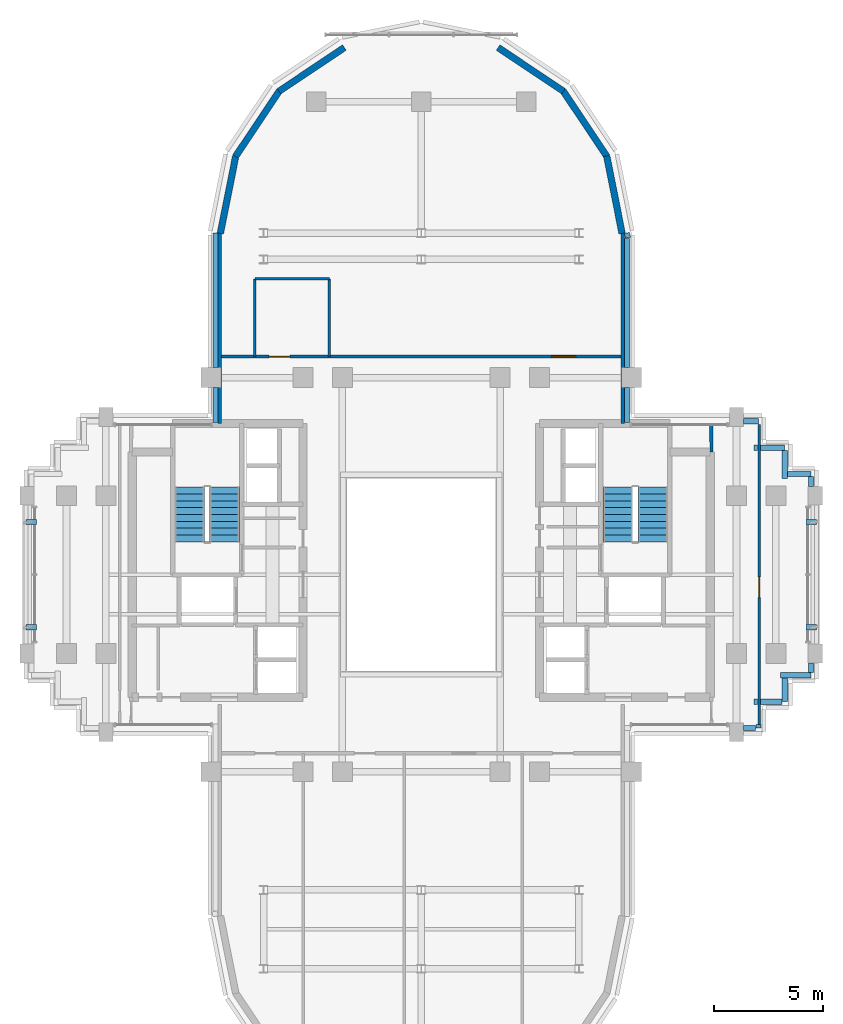
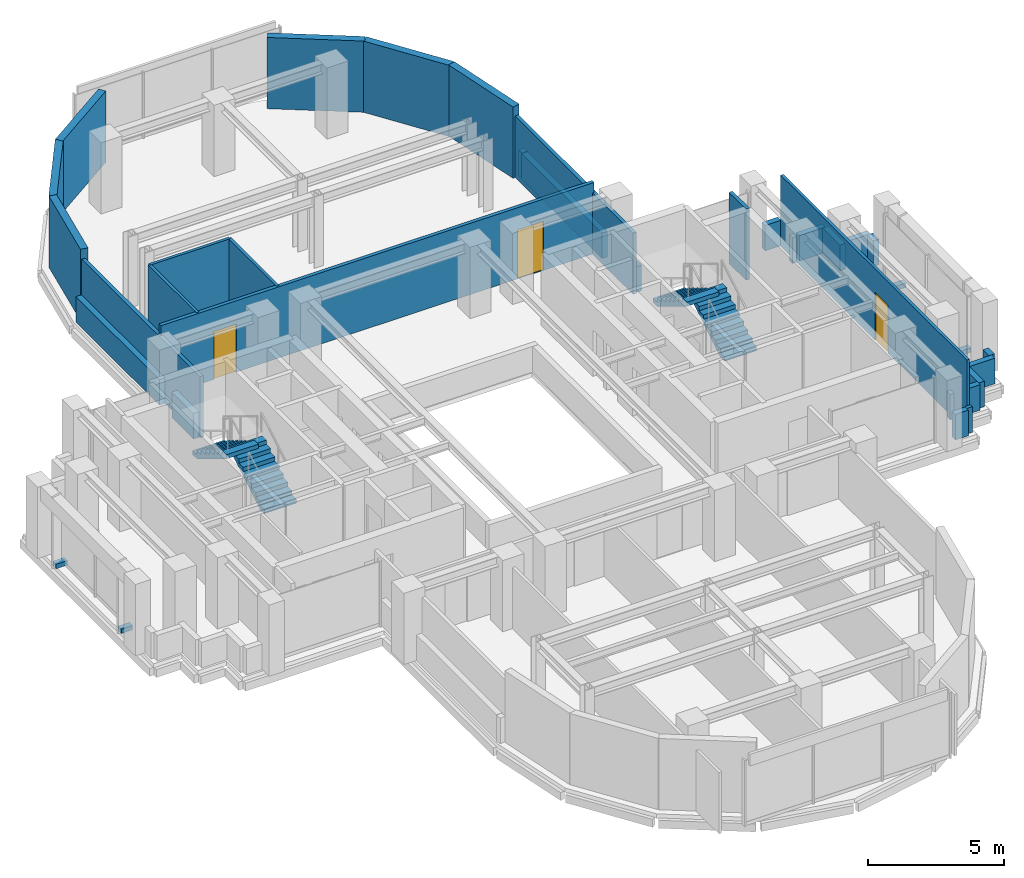
# One storey, part 8 of 11: 32 walls, 4 discrete accessories, 4 stair flights, 3 doors, 3 openings, 2 elements without a shape of their own.
"""IFC4 building model written with IfcOpenShell, lengths in metres."""

from ifc_helpers import new_model, si_unit, direction, frame, frame_2d, origin, origin_2d, place, context, subcontext, project, spatial, polyline, rectangle, outline, extrude, source, transform, mapped, material, layer, layer_set, type_object, element, fill, aggregate, save


model = new_model("IFC4")

# Units and contexts
model_context = context("Model", 3, precision=1e-05, world=origin(), true_north=direction((0.0, 1.0)))
body_context = subcontext(model_context, "Body", "Model", "MODEL_VIEW")
ifc_project = project(units=[si_unit("LENGTHUNIT", "METRE"), si_unit("AREAUNIT", "SQUARE_METRE"), si_unit("VOLUMEUNIT", "CUBIC_METRE"), si_unit("PLANEANGLEUNIT", "RADIAN"), si_unit("MASSUNIT", "GRAM", prefix="KILO")], contexts=[model_context])

# Site, building, storey
site_placement = place(None, origin())
site = spatial("IfcSite", under=ifc_project, at=site_placement, CompositionType="ELEMENT")
building_placement = place(site_placement, origin())
building = spatial("IfcBuilding", under=site, at=building_placement, Name="Keilestroom Media Tower", CompositionType="ELEMENT")
storey_placement = place(building_placement, frame((0.0, 0.0, 163.800048828125)))
storey = spatial("IfcBuildingStorey", under=building, at=storey_placement, Name="L44", CompositionType="ELEMENT", Elevation=163.800048828125)

# Walls
ifc_material_1 = material(Name="Precast concrete C40/50", Category="concrete")
ifc_layer_1 = layer(ifc_material_1, 0.300048828125)
ifc_layer_set_1 = layer_set([ifc_layer_1], Name="Precast concrete C40/50")
wall_type_1 = type_object("IfcWallType", Name="Exterior-Masonry-Spandrel-Wall-300", PredefinedType="SOLIDWALL", material=ifc_layer_set_1)
for number, where, z_axis, x_axis, name in (
    (1, (9.1748046875, 15.585205078125, 0.0), (0.0, 0.0, 1.0), (-0.195114232679, 0.980780523974, 0.0), "L44 Lobe Facet Precast Frame Wall 01"),
    (2, (8.48193359375, 19.097412109375, 0.0), (0.0, 0.0, 1.0), (-0.555574187116, 0.831466970246, 0.0), "L44 Lobe Facet Precast Frame Wall 02"),
):
    element("IfcWall", number, at=place(storey_placement, frame(where, z_axis=z_axis, x_axis=x_axis)), inside=storey, type_object=wall_type_1, Name=name, PredefinedType="SOLIDWALL", context=body_context, shape_type="SweptSolid", body=[
        extrude(rectangle(XDim=3.608642578125, YDim=0.300048828125, at=frame_2d((1.80419921875, 0.0))), origin(), (0.0, 0.0, 1.0), 3.199951171875),
    ])
for number, where, z_axis, x_axis, name in (
    (3, (6.497802734375, 22.0771484375, 0.0), (0.0, 0.0, 1.0), (-0.8314749531, 0.555562239868, 0.0), "L44 Lobe Facet Precast Frame Wall 03"),
    (4, (-3.510009765625, 24.073486328125, 0.0), (0.0, 0.0, 1.0), (-0.8314749531, -0.555562239868, 0.0), "L44 Lobe Facet Precast Frame Wall 04"),
):
    element("IfcWall", number, at=place(storey_placement, frame(where, z_axis=z_axis, x_axis=x_axis)), inside=storey, type_object=wall_type_1, Name=name, PredefinedType="SOLIDWALL", context=body_context, shape_type="SweptSolid", body=[
        extrude(rectangle(XDim=3.59326171875, YDim=0.300048828125, at=frame_2d((1.796630859375, 0.0))), origin(), (0.0, 0.0, 1.0), 3.199951171875),
    ])
for number, where, z_axis, x_axis, name in (
    (5, (-6.47705078125, 22.097900390625, 0.0), (0.0, 0.0, 1.0), (-0.555574187116, -0.831466970246, 0.0), "L44 Lobe Facet Precast Frame Wall 05"),
    (6, (-8.470703125, 19.12451171875, 0.0), (0.0, 0.0, 1.0), (-0.195114232679, -0.980780523974, 0.0), "L44 Lobe Facet Precast Frame Wall 06"),
):
    element("IfcWall", number, at=place(storey_placement, frame(where, z_axis=z_axis, x_axis=x_axis)), inside=storey, type_object=wall_type_1, Name=name, PredefinedType="SOLIDWALL", context=body_context, shape_type="SweptSolid", body=[
        extrude(rectangle(XDim=3.608642578125, YDim=0.300048828125, at=frame_2d((1.80419921875, 0.0))), origin(), (0.0, 0.0, 1.0), 3.199951171875),
    ])
ifc_material_2 = material(Name="Gypsum Plasterboard & Steel Stud", Category="steel")
ifc_layer_2 = layer(ifc_material_2, 0.1201171875)
ifc_layer_set_2 = layer_set([ifc_layer_2], Name="Gypsum Plasterboard & Steel Stud")
wall_type_2 = type_object("IfcWallType", Name="Interior-Partition-Wall-120", PredefinedType="PARTITIONING", material=ifc_layer_set_2)
wall_1_placement = place(storey_placement, frame((-7.60009765625, 13.510009765625, 0.0), z_axis=(0.0, 0.0, 1.0), x_axis=(1.0, 0.0, 0.0)))
element("IfcWall", 7, at=wall_1_placement, inside=storey, type_object=wall_type_2, Name="L44 Interior Wall WP-L44-NL-WC-N", PredefinedType="PARTITIONING", context=body_context, shape_type="SweptSolid", body=[
    extrude(rectangle(XDim=3.400146484375, YDim=0.1201171875, at=frame_2d((1.7001953125, 0.0))), origin(), (0.0, 0.0, 1.0), 3.199951171875),
])
for number, where, z_axis, x_axis, name in (
    (8, (-7.60009765625, 9.9599609375, 0.0), (0.0, 0.0, 1.0), (0.0, 1.0, 0.0), "L44 Interior Wall WP-L44-NL-WC-W"),
    (9, (-4.199951171875, 9.9599609375, 0.0), (0.0, 0.0, 1.0), (0.0, 1.0, 0.0), "L44 Interior Wall WP-L44-NL-WC-E"),
):
    element("IfcWall", number, at=place(storey_placement, frame(where, z_axis=z_axis, x_axis=x_axis)), inside=storey, type_object=wall_type_2, Name=name, PredefinedType="PARTITIONING", context=body_context, shape_type="SweptSolid", body=[
        extrude(rectangle(XDim=3.550048828125, YDim=0.1201171875, at=frame_2d((1.77490234375, 0.0))), origin(), (0.0, 0.0, 1.0), 3.199951171875),
    ])

# Wall, opening, door
wall_2_placement = place(storey_placement, frame((15.429931640625, -6.85009765625, 0.0), z_axis=(0.0, 0.0, 1.0), x_axis=(0.0, 1.0, 0.0)))
wall_2 = element("IfcWall", 10, at=wall_2_placement, inside=storey, type_object=wall_type_2, Name="L44 Interior Wall WP-L44-EA-V", PredefinedType="PARTITIONING", context=body_context, shape_type="SweptSolid", body=[
    extrude(rectangle(XDim=13.7001953125, YDim=0.1201171875, at=frame_2d((6.85009765625, 0.0))), origin(), (0.0, 0.0, 1.0), 3.199951171875),
])
opening_1_placement = place(wall_2_placement, frame((5.800048828125, 0.0, 0.0)))
opening_1 = element("IfcOpeningElement", 11, at=opening_1_placement, cuts=wall_2, Name="Opening DI-03", PredefinedType="OPENING", context=body_context, shape_type="SweptSolid", body=[
    extrude(rectangle(XDim=0.949951171875, YDim=2.14990234375, at=frame_2d((0.47509765625, 1.074951171875))), frame((0.0, 0.070068359375, 0.0), z_axis=(0.0, -1.0, 0.0), x_axis=(1.0, 0.0, 0.0)), (0.0, 0.0, 1.0), 0.14013671875),
])
ifc_material_3 = material(Name="Lacquered European Oak Leaf", Category="wood")
door_type_1 = type_object("IfcDoorType", Name="Interior-Room-And-Suite-Door-DI-03", OperationType="NOTDEFINED", PredefinedType="DOOR", material=ifc_material_3)
shared_shape_1 = source(origin(), body_context, "Body", "SweptSolid", [
    extrude(rectangle(XDim=0.949951171875, YDim=2.14990234375, at=frame_2d((0.47509765625, 1.074951171875))), frame((0.0, 0.02490234375, 0.0), z_axis=(0.0, -1.0, 0.0), x_axis=(1.0, 0.0, 0.0)), (0.0, 0.0, 1.0), 0.050048828125),
])
door_1_placement = place(opening_1_placement, origin())
door_1 = element("IfcDoor", 12, at=door_1_placement, inside=storey, type_object=door_type_1, Name="L44 Interior Door DI-L44-DEA-E", OperationType="SINGLE_SWING_LEFT", OverallHeight=2.14990234375, OverallWidth=0.949951171875, PredefinedType="DOOR", context=body_context, shape_type="MappedRepresentation", body=[
    mapped(shared_shape_1, transform((0.0, 0.0, 0.0), x_axis=(1.0, 0.0, 0.0), y_axis=(0.0, 1.0, 0.0), z_axis=(0.0, 0.0, 1.0), scale=1.0)),
])
fill(opening_1, door_1)

# Wall, openings, doors
ifc_layer_3 = layer(ifc_material_2, 0.14990234375)
ifc_layer_set_3 = layer_set([ifc_layer_3], Name="Gypsum Plasterboard & Steel Stud")
wall_type_3 = type_object("IfcWallType", Name="Interior-Partition-Wall-150", PredefinedType="PARTITIONING", material=ifc_layer_set_3)
wall_3_placement = place(storey_placement, frame((-9.199951171875, 9.9599609375, 0.0), z_axis=(0.0, 0.0, 1.0), x_axis=(1.0, 0.0, 0.0)))
wall_3 = element("IfcWall", 13, at=wall_3_placement, inside=storey, type_object=wall_type_3, Name="L44 Interior Wall WP-L44-NL-BASE", PredefinedType="PARTITIONING", context=body_context, shape_type="SweptSolid", body=[
    extrude(rectangle(XDim=18.39990234375, YDim=0.14990234375, at=frame_2d((9.199951171875, 0.0))), origin(), (0.0, 0.0, 1.0), 3.199951171875),
])
opening_2_placement = place(wall_3_placement, frame((2.25, 0.0, 0.0)))
opening_2 = element("IfcOpeningElement", 14, at=opening_2_placement, cuts=wall_3, Name="Opening DI-03", PredefinedType="OPENING", context=body_context, shape_type="SweptSolid", body=[
    extrude(rectangle(XDim=0.949951171875, YDim=2.14990234375, at=frame_2d((0.47509765625, 1.074951171875))), frame((0.0, 0.0849609375, 0.0), z_axis=(0.0, -1.0, 0.0), x_axis=(1.0, 0.0, 0.0)), (0.0, 0.0, 1.0), 0.169921875),
])
opening_3_placement = place(wall_3_placement, frame((15.14990234375, 0.0, 0.0)))
opening_3 = element("IfcOpeningElement", 15, at=opening_3_placement, cuts=wall_3, Name="Opening DI-04", PredefinedType="OPENING", context=body_context, shape_type="SweptSolid", body=[
    extrude(rectangle(XDim=1.10009765625, YDim=2.199951171875, at=frame_2d((0.550048828125, 1.10009765625))), frame((0.0, 0.0849609375, 0.0), z_axis=(0.0, -1.0, 0.0), x_axis=(1.0, 0.0, 0.0)), (0.0, 0.0, 1.0), 0.169921875),
])
door_2_placement = place(opening_2_placement, origin())
door_2 = element("IfcDoor", 16, at=door_2_placement, inside=storey, type_object=door_type_1, Name="L44 Interior Door DI-L44-DNL-WC", OperationType="SINGLE_SWING_LEFT", OverallHeight=2.14990234375, OverallWidth=0.949951171875, PredefinedType="DOOR", context=body_context, shape_type="MappedRepresentation", body=[
    mapped(shared_shape_1, transform((0.0, 0.0, 0.0), x_axis=(1.0, 0.0, 0.0), y_axis=(0.0, 1.0, 0.0), z_axis=(0.0, 0.0, 1.0), scale=1.0)),
])
fill(opening_2, door_2)
ifc_material_4 = material(Name="Acoustic Glazed Aluminium Leaf", Category="aluminium")
door_type_2 = type_object("IfcDoorType", Name="Interior-Room-And-Suite-Door-DI-04", OperationType="NOTDEFINED", PredefinedType="DOOR", material=ifc_material_4)
shared_shape_2 = source(origin(), body_context, "Body", "SweptSolid", [
    extrude(rectangle(XDim=1.10009765625, YDim=2.199951171875, at=frame_2d((0.550048828125, 1.10009765625))), frame((0.0, 0.02490234375, 0.0), z_axis=(0.0, -1.0, 0.0), x_axis=(1.0, 0.0, 0.0)), (0.0, 0.0, 1.0), 0.050048828125),
])
door_3_placement = place(opening_3_placement, origin())
door_3 = element("IfcDoor", 17, at=door_3_placement, inside=storey, type_object=door_type_2, Name="L44 Interior Door DI-L44-DNL-HALL", OperationType="SINGLE_SWING_RIGHT", OverallHeight=2.199951171875, OverallWidth=1.10009765625, PredefinedType="DOOR", context=body_context, shape_type="MappedRepresentation", body=[
    mapped(shared_shape_2, transform((0.0, 0.0, 0.0), x_axis=(1.0, 0.0, 0.0), y_axis=(0.0, 1.0, 0.0), z_axis=(0.0, 0.0, 1.0), scale=1.0)),
])
fill(opening_3, door_3)

# Walls
for number, where, z_axis, x_axis, name in (
    (18, (-9.199951171875, 6.89990234375, 0.0), (0.0, 0.0, 1.0), (0.0, 1.0, 0.0), "L44 Interior Wall WP-L44-NL-CHKW"),
    (19, (9.199951171875, 6.89990234375, 0.0), (0.0, 0.0, 1.0), (0.0, 1.0, 0.0), "L44 Interior Wall WP-L44-NL-CHKE"),
):
    element("IfcWall", number, at=place(storey_placement, frame(where, z_axis=z_axis, x_axis=x_axis)), inside=storey, type_object=wall_type_3, Name=name, PredefinedType="PARTITIONING", context=body_context, shape_type="SweptSolid", body=[
        extrude(rectangle(XDim=8.780029296875, YDim=0.14990234375, at=frame_2d((4.39013671875, 0.0))), origin(), (0.0, 0.0, 1.0), 2.75),
    ])
wall_4_placement = place(storey_placement, frame((13.260009765625, 5.60009765625, 0.0), z_axis=(0.0, 0.0, 1.0), x_axis=(-0.016013571389, 0.999871774545, 0.0)))
element("IfcWall", 20, at=wall_4_placement, inside=storey, type_object=wall_type_3, Name="L44 Interior Wall WP-L44-EA-ENTN", PredefinedType="PARTITIONING", context=body_context, shape_type="SweptSolid", body=[
    extrude(rectangle(XDim=1.250244140625, YDim=0.14990234375, at=frame_2d((0.625, 0.0))), origin(), (0.0, 0.0, 1.0), 3.199951171875),
])
ifc_layer_4 = layer(ifc_material_1, 0.239990234375)
ifc_layer_set_4 = layer_set([ifc_layer_4], Name="Precast concrete C40/50")
wall_type_4 = type_object("IfcWallType", Name="Roof-And-Terrace-Parapet-Wall-240", PredefinedType="PARAPET", material=ifc_layer_set_4)
wall_5_placement = place(storey_placement, frame((17.800048828125, -4.60009765625, 0.0), z_axis=(0.0, 0.0, 1.0), x_axis=(-1.0, 0.0, 0.0)))
element("IfcWall", 21, at=wall_5_placement, inside=storey, type_object=wall_type_4, Name="L44 Perimeter Edge Parapet Wall 01", PredefinedType="PARAPET", context=body_context, shape_type="SweptSolid", body=[
    extrude(rectangle(XDim=1.400146484375, YDim=0.239990234375, at=frame_2d((0.7001953125, 0.0))), origin(), (0.0, 0.0, 1.0), 1.14990234375),
])
wall_6_placement = place(storey_placement, frame((16.60009765625, -4.722900390625, 0.0), z_axis=(0.0, 0.0, 1.0), x_axis=(0.0, -1.0, 0.0)))
element("IfcWall", 22, at=wall_6_placement, inside=storey, type_object=wall_type_4, Name="L44 Perimeter Edge Parapet Wall 02", PredefinedType="PARAPET", context=body_context, shape_type="SweptSolid", body=[
    extrude(rectangle(XDim=1.0771484375, YDim=0.239990234375, at=frame_2d((0.53857421875, 0.0))), origin(), (0.0, 0.0, 1.0), 1.14990234375),
])
wall_7_placement = place(storey_placement, frame((16.47705078125, -5.800048828125, 0.0), z_axis=(0.0, 0.0, 1.0), x_axis=(-1.0, 0.0, 0.0)))
element("IfcWall", 23, at=wall_7_placement, inside=storey, type_object=wall_type_4, Name="L44 Perimeter Edge Parapet Wall 03", PredefinedType="PARAPET", context=body_context, shape_type="SweptSolid", body=[
    extrude(rectangle(XDim=0.984130859375, YDim=0.239990234375, at=frame_2d((0.4921875, 0.0))), origin(), (0.0, 0.0, 1.0), 1.14990234375),
])
wall_8_placement = place(storey_placement, frame((15.366943359375, -5.800048828125, 0.0), z_axis=(0.0, 0.0, 1.0), x_axis=(-1.0, 0.0, 0.0)))
element("IfcWall", 24, at=wall_8_placement, inside=storey, type_object=wall_type_4, Name="L44 Perimeter Edge Parapet Wall 04", PredefinedType="PARAPET", context=body_context, shape_type="SweptSolid", body=[
    extrude(rectangle(XDim=0.1669921875, YDim=0.239990234375, at=frame_2d((0.08349609375, 0.0))), origin(), (0.0, 0.0, 1.0), 1.14990234375),
])
wall_9_placement = place(storey_placement, frame((15.39990234375, -6.85302734375, 0.0), z_axis=(0.0, 0.0, 1.0), x_axis=(0.0, -1.0, 0.0)))
element("IfcWall", 25, at=wall_9_placement, inside=storey, type_object=wall_type_4, Name="L44 Perimeter Edge Parapet Wall 05", PredefinedType="PARAPET", context=body_context, shape_type="SweptSolid", body=[
    extrude(rectangle(XDim=0.14697265625, YDim=0.239990234375, at=frame_2d((0.073486328125, 0.0))), origin(), (0.0, 0.0, 1.0), 1.14990234375),
])
wall_10_placement = place(storey_placement, frame((15.277099609375, -7.0, 0.0), z_axis=(0.0, 0.0, 1.0), x_axis=(-1.0, 0.0, 0.0)))
element("IfcWall", 26, at=wall_10_placement, inside=storey, type_object=wall_type_4, Name="L44 Perimeter Edge Parapet Wall 06", PredefinedType="PARAPET", context=body_context, shape_type="SweptSolid", body=[
    extrude(rectangle(XDim=0.549072265625, YDim=0.239990234375, at=frame_2d((0.2744140625, 0.0))), origin(), (0.0, 0.0, 1.0), 1.14990234375),
])
wall_11_placement = place(storey_placement, frame((-9.39990234375, 6.952880859375, 0.0), z_axis=(0.0, 0.0, 1.0), x_axis=(0.0, 1.0, 0.0)))
element("IfcWall", 27, at=wall_11_placement, inside=storey, type_object=wall_type_4, Name="L44 Perimeter Edge Parapet Wall 25", PredefinedType="PARAPET", context=body_context, shape_type="SweptSolid", body=[
    extrude(rectangle(XDim=1.59423828125, YDim=0.239990234375, at=frame_2d((0.797119140625, 0.0))), origin(), (0.0, 0.0, 1.0), 1.14990234375),
])
wall_12_placement = place(storey_placement, frame((-9.39990234375, 9.452880859375, 0.0), z_axis=(0.0, 0.0, 1.0), x_axis=(0.0, 1.0, 0.0)))
element("IfcWall", 28, at=wall_12_placement, inside=storey, type_object=wall_type_4, Name="L44 Perimeter Edge Parapet Wall 26", PredefinedType="PARAPET", context=body_context, shape_type="SweptSolid", body=[
    extrude(rectangle(XDim=6.14990234375, YDim=0.239990234375, at=frame_2d((3.074951171875, 0.0))), origin(), (0.0, 0.0, 1.0), 1.14990234375),
])
wall_13_placement = place(storey_placement, frame((9.395263671875, 15.604248046875, 0.0), z_axis=(0.0, 0.0, 1.0), x_axis=(0.194652052864, -0.980872355771, 0.0)))
element("IfcWall", 29, at=wall_13_placement, inside=storey, type_object=wall_type_4, Name="L44 Perimeter Edge Parapet Wall 27", PredefinedType="PARAPET", context=body_context, shape_type="SweptSolid", body=[
    extrude(rectangle(XDim=0.224609375, YDim=0.239990234375, at=frame_2d((0.1123046875, 0.0))), origin(), (0.0, 0.0, 1.0), 1.14990234375),
])
wall_14_placement = place(storey_placement, frame((9.39990234375, 15.357666015625, 0.0), z_axis=(0.0, 0.0, 1.0), x_axis=(0.0, -1.0, 0.0)))
element("IfcWall", 30, at=wall_14_placement, inside=storey, type_object=wall_type_4, Name="L44 Perimeter Edge Parapet Wall 28", PredefinedType="PARAPET", context=body_context, shape_type="SweptSolid", body=[
    extrude(rectangle(XDim=5.90478515625, YDim=0.239990234375, at=frame_2d((2.952392578125, 0.0))), origin(), (0.0, 0.0, 1.0), 1.14990234375),
])
wall_15_placement = place(storey_placement, frame((9.39990234375, 8.547119140625, 0.0), z_axis=(0.0, 0.0, 1.0), x_axis=(0.0, -1.0, 0.0)))
element("IfcWall", 31, at=wall_15_placement, inside=storey, type_object=wall_type_4, Name="L44 Perimeter Edge Parapet Wall 29", PredefinedType="PARAPET", context=body_context, shape_type="SweptSolid", body=[
    extrude(rectangle(XDim=1.59423828125, YDim=0.239990234375, at=frame_2d((0.797119140625, 0.0))), origin(), (0.0, 0.0, 1.0), 1.14990234375),
])
wall_16_placement = place(storey_placement, frame((14.72802734375, 7.0, 0.0), z_axis=(0.0, 0.0, 1.0), x_axis=(1.0, 0.0, 0.0)))
element("IfcWall", 32, at=wall_16_placement, inside=storey, type_object=wall_type_4, Name="L44 Perimeter Edge Parapet Wall 30", PredefinedType="PARAPET", context=body_context, shape_type="SweptSolid", body=[
    extrude(rectangle(XDim=0.671875, YDim=0.239990234375, at=frame_2d((0.3359375, 0.0))), origin(), (0.0, 0.0, 1.0), 1.14990234375),
])
wall_17_placement = place(storey_placement, frame((15.199951171875, 5.800048828125, 0.0), z_axis=(0.0, 0.0, 1.0), x_axis=(1.0, 0.0, 0.0)))
element("IfcWall", 33, at=wall_17_placement, inside=storey, type_object=wall_type_4, Name="L44 Perimeter Edge Parapet Wall 31", PredefinedType="PARAPET", context=body_context, shape_type="SweptSolid", body=[
    extrude(rectangle(XDim=0.1669921875, YDim=0.239990234375, at=frame_2d((0.08349609375, 0.0))), origin(), (0.0, 0.0, 1.0), 1.14990234375),
])
wall_18_placement = place(storey_placement, frame((15.492919921875, 5.800048828125, 0.0), z_axis=(0.0, 0.0, 1.0), x_axis=(1.0, 0.0, 0.0)))
element("IfcWall", 34, at=wall_18_placement, inside=storey, type_object=wall_type_4, Name="L44 Perimeter Edge Parapet Wall 32", PredefinedType="PARAPET", context=body_context, shape_type="SweptSolid", body=[
    extrude(rectangle(XDim=1.107177734375, YDim=0.239990234375, at=frame_2d((0.5537109375, 0.0))), origin(), (0.0, 0.0, 1.0), 1.14990234375),
])
wall_19_placement = place(storey_placement, frame((16.60009765625, 5.677001953125, 0.0), z_axis=(0.0, 0.0, 1.0), x_axis=(0.0, -1.0, 0.0)))
element("IfcWall", 35, at=wall_19_placement, inside=storey, type_object=wall_type_4, Name="L44 Perimeter Edge Parapet Wall 33", PredefinedType="PARAPET", context=body_context, shape_type="SweptSolid", body=[
    extrude(rectangle(XDim=1.277099609375, YDim=0.239990234375, at=frame_2d((0.638671875, 0.0))), origin(), (0.0, 0.0, 1.0), 1.14990234375),
])
wall_20_placement = place(storey_placement, frame((16.722900390625, 4.60009765625, 0.0), z_axis=(0.0, 0.0, 1.0), x_axis=(1.0, 0.0, 0.0)))
element("IfcWall", 36, at=wall_20_placement, inside=storey, type_object=wall_type_4, Name="L44 Perimeter Edge Parapet Wall 34", PredefinedType="PARAPET", context=body_context, shape_type="SweptSolid", body=[
    extrude(rectangle(XDim=1.0771484375, YDim=0.239990234375, at=frame_2d((0.53857421875, 0.0))), origin(), (0.0, 0.0, 1.0), 1.14990234375),
])
for number, where, z_axis, x_axis, name in (
    (37, (17.800048828125, 4.47705078125, 0.0), (0.0, 0.0, 1.0), (0.0, -1.0, 0.0), "L44 Perimeter Edge Parapet Wall 35"),
    (38, (17.800048828125, -4.028076171875, 0.0), (0.0, 0.0, 1.0), (0.0, -1.0, 0.0), "L44 Perimeter Edge Parapet Wall 36"),
):
    element("IfcWall", number, at=place(storey_placement, frame(where, z_axis=z_axis, x_axis=x_axis)), inside=storey, type_object=wall_type_4, Name=name, PredefinedType="PARAPET", context=body_context, shape_type="SweptSolid", body=[
        extrude(rectangle(XDim=0.448974609375, YDim=0.239990234375, at=frame_2d((0.224609375, 0.0))), origin(), (0.0, 0.0, 1.0), 1.14990234375),
    ])

# Stair, stair flights
ifc_material_5 = material(Name="Concrete C45/55", Category="concrete")
stair_type = type_object("IfcStairType", Name="Enclosed-Dog-Leg-Stair-ST-CORE", PredefinedType="HALF_TURN_STAIR", material=ifc_material_5)
stair_1_placement = place(storey_placement, origin())
stair_1 = element("IfcStair", 39, at=stair_1_placement, inside=storey, type_object=stair_type, Name="L44 West Core Escape Stair ST-1", PredefinedType="HALF_TURN_STAIR")
stair_flight_type = type_object("IfcStairFlightType", Name="Precast-Concrete-Stair-Flight-Core-160", PredefinedType="STRAIGHT", material=ifc_material_1)
stair_flight_1_placement = place(storey_placement, frame((-8.97998046875, 1.5, 0.0), z_axis=(0.0, 0.0, 1.0), x_axis=(0.0, 1.0, 0.0)))
stair_flight_1 = element("IfcStairFlight", 40, at=stair_flight_1_placement, type_object=stair_flight_type, Name="ST-1 flight 1", NumberOfRisers=9, NumberOfTreads=8, PredefinedType="STRAIGHT", RiserHeight=0.188888889, TreadLength=0.312, context=body_context, shape_type="SweptSolid", body=[
    extrude(outline(polyline([(0.0, 0.0), (0.0, 0.18896484375), (0.31201171875, 0.18896484375), (0.31201171875, 0.377685546875), (0.6240234375, 0.377685546875), (0.6240234375, 0.566650390625), (0.93603515625, 0.566650390625), (0.93603515625, 0.755615234375), (1.248046875, 0.755615234375), (1.248046875, 0.9443359375), (1.56005859375, 0.9443359375), (1.56005859375, 1.13330078125), (1.8720703125, 1.13330078125), (1.8720703125, 1.322265625), (2.18408203125, 1.322265625), (2.18408203125, 1.51123046875), (2.49609375, 1.51123046875), (2.49609375, 1.699951171875), (2.49609375, 1.32421875), (0.308837890625, 0.0), (0.0, 0.0)])), frame((0.0, 0.68017578125, 0.0), z_axis=(0.0, -1.0, 0.0), x_axis=(1.0, 0.0, 0.0)), (0.0, 0.0, 1.0), 1.360107421875),
])
stair_flight_2_placement = place(storey_placement, frame((-10.580078125, 3.99609375, 1.699951171875), z_axis=(0.0, 0.0, 1.0), x_axis=(0.0, -1.0, 0.0)))
stair_flight_2 = element("IfcStairFlight", 41, at=stair_flight_2_placement, type_object=stair_flight_type, Name="ST-1 flight 2", NumberOfRisers=9, NumberOfTreads=8, PredefinedType="STRAIGHT", RiserHeight=0.188888889, TreadLength=0.312, context=body_context, shape_type="SweptSolid", body=[
    extrude(outline(polyline([(0.0, 0.0), (0.0, 0.18896484375), (0.31201171875, 0.18896484375), (0.31201171875, 0.377685546875), (0.6240234375, 0.377685546875), (0.6240234375, 0.566650390625), (0.93603515625, 0.566650390625), (0.93603515625, 0.755615234375), (1.248046875, 0.755615234375), (1.248046875, 0.9443359375), (1.56005859375, 0.9443359375), (1.56005859375, 1.13330078125), (1.8720703125, 1.13330078125), (1.8720703125, 1.322265625), (2.18408203125, 1.322265625), (2.18408203125, 1.51123046875), (2.49609375, 1.51123046875), (2.49609375, 1.699951171875), (2.49609375, 1.32421875), (0.308837890625, 0.0), (0.0, 0.0)])), frame((0.0, 0.68017578125, 0.0), z_axis=(0.0, -1.0, 0.0), x_axis=(1.0, 0.0, 0.0)), (0.0, 0.0, 1.0), 1.360107421875),
])
aggregate(stair_1, [stair_flight_1, stair_flight_2])

stair_2_placement = place(storey_placement, origin())
stair_2 = element("IfcStair", 42, at=stair_2_placement, inside=storey, type_object=stair_type, Name="L44 East Core Escape Stair ST-2", PredefinedType="HALF_TURN_STAIR")
stair_flight_3_placement = place(storey_placement, frame((10.580078125, 1.5, 0.0), z_axis=(0.0, 0.0, 1.0), x_axis=(0.0, 1.0, 0.0)))
stair_flight_3 = element("IfcStairFlight", 43, at=stair_flight_3_placement, type_object=stair_flight_type, Name="ST-2 flight 1", NumberOfRisers=9, NumberOfTreads=8, PredefinedType="STRAIGHT", RiserHeight=0.188888889, TreadLength=0.312, context=body_context, shape_type="SweptSolid", body=[
    extrude(outline(polyline([(0.0, 0.0), (0.0, 0.18896484375), (0.31201171875, 0.18896484375), (0.31201171875, 0.377685546875), (0.6240234375, 0.377685546875), (0.6240234375, 0.566650390625), (0.93603515625, 0.566650390625), (0.93603515625, 0.755615234375), (1.248046875, 0.755615234375), (1.248046875, 0.9443359375), (1.56005859375, 0.9443359375), (1.56005859375, 1.13330078125), (1.8720703125, 1.13330078125), (1.8720703125, 1.322265625), (2.18408203125, 1.322265625), (2.18408203125, 1.51123046875), (2.49609375, 1.51123046875), (2.49609375, 1.699951171875), (2.49609375, 1.32421875), (0.308837890625, 0.0), (0.0, 0.0)])), frame((0.0, 0.68017578125, 0.0), z_axis=(0.0, -1.0, 0.0), x_axis=(1.0, 0.0, 0.0)), (0.0, 0.0, 1.0), 1.360107421875),
])
stair_flight_4_placement = place(storey_placement, frame((8.97998046875, 3.99609375, 1.699951171875), z_axis=(0.0, 0.0, 1.0), x_axis=(0.0, -1.0, 0.0)))
stair_flight_4 = element("IfcStairFlight", 44, at=stair_flight_4_placement, type_object=stair_flight_type, Name="ST-2 flight 2", NumberOfRisers=9, NumberOfTreads=8, PredefinedType="STRAIGHT", RiserHeight=0.188888889, TreadLength=0.312, context=body_context, shape_type="SweptSolid", body=[
    extrude(outline(polyline([(0.0, 0.0), (0.0, 0.18896484375), (0.31201171875, 0.18896484375), (0.31201171875, 0.377685546875), (0.6240234375, 0.377685546875), (0.6240234375, 0.566650390625), (0.93603515625, 0.566650390625), (0.93603515625, 0.755615234375), (1.248046875, 0.755615234375), (1.248046875, 0.9443359375), (1.56005859375, 0.9443359375), (1.56005859375, 1.13330078125), (1.8720703125, 1.13330078125), (1.8720703125, 1.322265625), (2.18408203125, 1.322265625), (2.18408203125, 1.51123046875), (2.49609375, 1.51123046875), (2.49609375, 1.699951171875), (2.49609375, 1.32421875), (0.308837890625, 0.0), (0.0, 0.0)])), frame((0.0, 0.68017578125, 0.0), z_axis=(0.0, -1.0, 0.0), x_axis=(1.0, 0.0, 0.0)), (0.0, 0.0, 1.0), 1.360107421875),
])
aggregate(stair_2, [stair_flight_3, stair_flight_4])

# Discrete accessories
ifc_material_6 = material(Name="Stainless Steel 1.4401", Category="steel")
discrete_accessory_type = type_object("IfcDiscreteAccessoryType", Name="Facade-Fin-Fixing-Bracket-BRK-1", PredefinedType="BRACKET", material=ifc_material_6)
shared_shape_3 = source(origin(), body_context, "Body", "SweptSolid", [
    extrude(rectangle(XDim=0.47998046875, YDim=0.239990234375, at=origin_2d()), origin(), (0.0, 0.0, 1.0), 0.199951171875),
])
for number, where, z_axis, x_axis, name in (
    (45, (-17.81005859375, -2.39990234375, -0.01025390625), (0.0, 0.0, 1.0), (1.0, 0.0, 0.0), "L44 Sunshade Fin Bracket BRK-1 057"),
    (46, (-17.81005859375, 2.39990234375, -0.01025390625), (0.0, 0.0, 1.0), (1.0, 0.0, 0.0), "L44 Sunshade Fin Bracket BRK-1 058"),
    (47, (17.81005859375, -2.39990234375, -0.01025390625), (0.0, 0.0, 1.0), (1.0, 0.0, 0.0), "L44 Sunshade Fin Bracket BRK-1 059"),
    (48, (17.81005859375, 2.39990234375, -0.01025390625), (0.0, 0.0, 1.0), (1.0, 0.0, 0.0), "L44 Sunshade Fin Bracket BRK-1 060"),
):
    element("IfcDiscreteAccessory", number, at=place(storey_placement, frame(where, z_axis=z_axis, x_axis=x_axis)), inside=storey, type_object=discrete_accessory_type, Name=name, PredefinedType="BRACKET", context=body_context, shape_type="MappedRepresentation", body=[
        mapped(shared_shape_3, transform((0.0, 0.0, 0.0), x_axis=(1.0, 0.0, 0.0), y_axis=(0.0, 1.0, 0.0), z_axis=(0.0, 0.0, 1.0), scale=1.0)),
    ])

save(model, "model.ifc")
